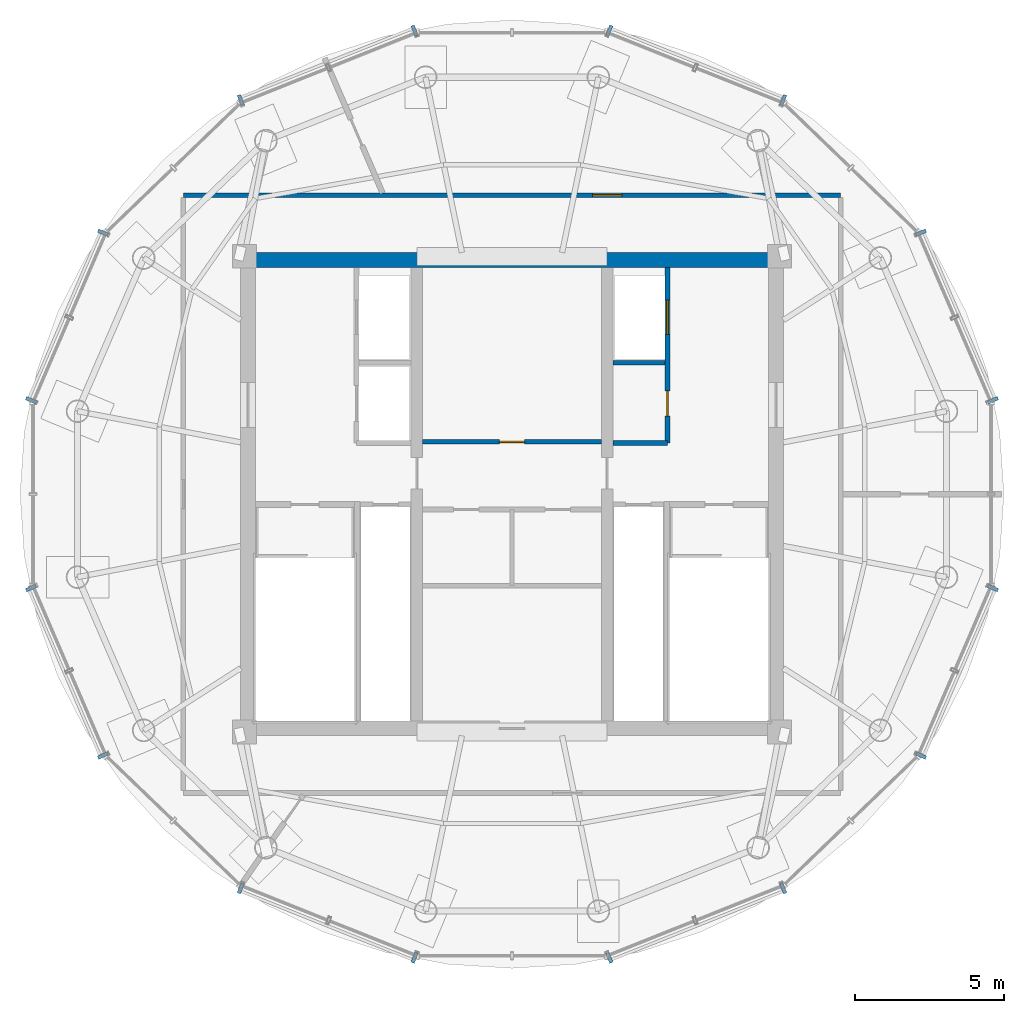
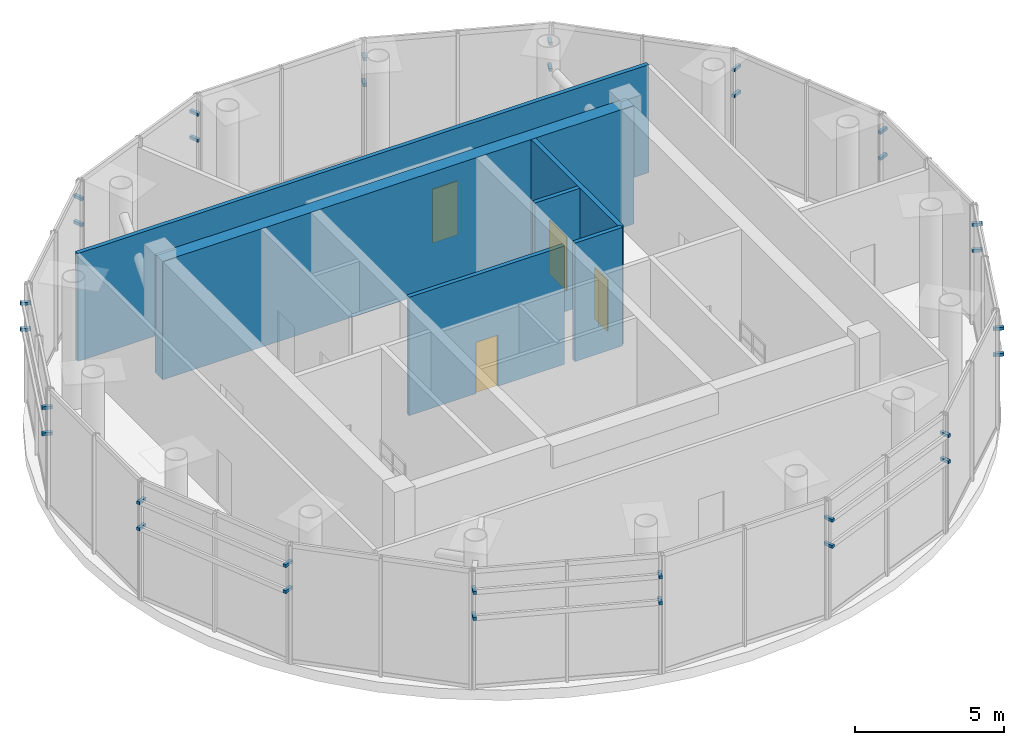
# One storey, part 12 of 13: 32 discrete accessories, 6 walls, 4 doors, 4 openings.
"""IFC4 building model written with IfcOpenShell, lengths in metres."""

from ifc_helpers import new_model, si_unit, direction, frame, frame_2d, origin, origin_2d, place, context, subcontext, project, spatial, rectangle, extrude, source, transform, mapped, material, layer, layer_set, type_object, element, fill, save


model = new_model("IFC4")

# Units and contexts
model_context = context("Model", 3, precision=1e-05, world=origin(), true_north=direction((-0.2419218956, 0.970295726276)))
body_context = subcontext(model_context, "Body", "Model", "MODEL_VIEW")
ifc_project = project(units=[si_unit("LENGTHUNIT", "METRE"), si_unit("AREAUNIT", "SQUARE_METRE"), si_unit("VOLUMEUNIT", "CUBIC_METRE"), si_unit("PLANEANGLEUNIT", "RADIAN"), si_unit("MASSUNIT", "GRAM", prefix="KILO")], contexts=[model_context])

# Site, building, storey
site_placement = place(None, origin())
site = spatial("IfcSite", under=ifc_project, at=site_placement, CompositionType="ELEMENT")
building_placement = place(site_placement, origin())
building = spatial("IfcBuilding", under=site, at=building_placement, Name="Cobrevalo Terracotta Tower", CompositionType="ELEMENT")
storey_placement = place(building_placement, frame((0.0, 0.0, 332.10009765625)))
storey = spatial("IfcBuildingStorey", under=building, at=storey_placement, Name="L85", CompositionType="ELEMENT", Elevation=332.10009765625)

# Walls
ifc_material_1 = material(Name="Concrete C50", Category="concrete")
ifc_layer_1 = layer(ifc_material_1, 0.5)
ifc_layer_set_1 = layer_set([ifc_layer_1], Name="Concrete C50")
wall_type_1 = type_object("IfcWallType", Name="Crown core shear wall 500 mm Concrete C50", PredefinedType="SHEAR", material=ifc_layer_set_1)
wall_1_placement = place(storey_placement, frame((28.875, 34.675048828125, 0.0), z_axis=(0.0, 0.0, 1.0), x_axis=(1.0, 0.0, 0.0)))
element("IfcWall", 1, at=wall_1_placement, inside=storey, type_object=wall_type_1, Name="L85 north core shear wall", PredefinedType="SHEAR", context=body_context, shape_type="SweptSolid", body=[
    extrude(rectangle(XDim=18.25, YDim=0.5, at=frame_2d((9.125, 0.0))), origin(), (0.0, 0.0, 1.0), 4.849853515625),
])
ifc_material_2 = material(Name="Gypsum board on steel stud", Category="steel")
ifc_layer_2 = layer(ifc_material_2, 0.159912109375)
ifc_layer_set_2 = layer_set([ifc_layer_2], Name="Gypsum board on steel stud")
wall_type_2 = type_object("IfcWallType", Name="Fire-rated corridor acoustic partition wall 160 mm", PredefinedType="PARTITIONING", material=ifc_layer_set_2)
wall_2_placement = place(storey_placement, frame((41.389892578125, 31.219970703125, 0.0), z_axis=(0.0, 0.0, 1.0), x_axis=(1.0, 0.0, 0.0)))
element("IfcWall", 2, at=wall_2_placement, inside=storey, type_object=wall_type_2, Name="L85 interior partition IW-L85-FF2-M", PredefinedType="PARTITIONING", context=body_context, shape_type="SweptSolid", body=[
    extrude(rectangle(XDim=1.75, YDim=0.159912109375, at=frame_2d((0.875, 0.0))), origin(), (0.0, 0.0, 1.0), 4.849853515625),
])
wall_3_placement = place(storey_placement, frame((41.389892578125, 28.52001953125, 0.0), z_axis=(0.0, 0.0, 1.0), x_axis=(1.0, 0.0, 0.0)))
element("IfcWall", 3, at=wall_3_placement, inside=storey, type_object=wall_type_2, Name="L85 interior partition IW-L85-FF2-S", PredefinedType="PARTITIONING", context=body_context, shape_type="SweptSolid", body=[
    extrude(rectangle(XDim=1.840087890625, YDim=0.159912109375, at=frame_2d((0.919921875, 0.0))), origin(), (0.0, 0.0, 1.0), 4.849853515625),
])

# Wall, opening, door
wall_4_placement = place(storey_placement, frame((34.989990234375, 28.56005859375, 0.0), z_axis=(0.0, 0.0, 1.0), x_axis=(1.0, 0.0, 0.0)))
wall_4 = element("IfcWall", 4, at=wall_4_placement, inside=storey, type_object=wall_type_2, Name="L85 interior partition IW-L85-LB-S", PredefinedType="PARTITIONING", context=body_context, shape_type="SweptSolid", body=[
    extrude(rectangle(XDim=6.02001953125, YDim=0.159912109375, at=frame_2d((3.010009765625, 0.0))), origin(), (0.0, 0.0, 1.0), 4.849853515625),
])
opening_1_placement = place(wall_4_placement, frame((2.5849609375, 0.0, 0.0)))
opening_1 = element("IfcOpeningElement", 5, at=opening_1_placement, cuts=wall_4, Name="Opening ID-22", PredefinedType="OPENING", context=body_context, shape_type="SweptSolid", body=[
    extrude(rectangle(XDim=0.85009765625, YDim=2.10009765625, at=frame_2d((0.425048828125, 1.050048828125))), frame((0.0, 0.08984375, 0.0), z_axis=(0.0, -1.0, 0.0), x_axis=(1.0, 0.0, 0.0)), (0.0, 0.0, 1.0), 0.179931640625),
])
ifc_material_3 = material(Name="Powder-coated steel", Category="steel")
door_type_1 = type_object("IfcDoorType", Name="Riser shaft & meter closet fire access door 850x2100 EI 60", OperationType="NOTDEFINED", PredefinedType="DOOR", material=ifc_material_3)
shared_shape_1 = source(origin(), body_context, "Body", "SweptSolid", [
    extrude(rectangle(XDim=0.85009765625, YDim=2.10009765625, at=frame_2d((0.425048828125, 1.050048828125))), frame((0.0, 0.02490234375, 0.0), z_axis=(0.0, -1.0, 0.0), x_axis=(1.0, 0.0, 0.0)), (0.0, 0.0, 1.0), 0.050048828125),
])
door_1_placement = place(opening_1_placement, origin())
door_1 = element("IfcDoor", 6, at=door_1_placement, inside=storey, type_object=door_type_1, Name="L85 core service door Crown HV Switchroom Plant", OperationType="SINGLE_SWING_LEFT", OverallHeight=2.10009765625, OverallWidth=0.85009765625, PredefinedType="DOOR", context=body_context, shape_type="MappedRepresentation", body=[
    mapped(shared_shape_1, transform((0.0, 0.0, 0.0), scale=1.0)),
])
fill(opening_1, door_1)

wall_5_placement = place(storey_placement, frame((26.945068359375, 36.85498046875, 0.0), z_axis=(0.0, 0.0, 1.0), x_axis=(1.0, 0.0, 0.0)))
wall_5 = element("IfcWall", 7, at=wall_5_placement, inside=storey, type_object=wall_type_2, Name="L85 interior partition IW-L85-COR-N", PredefinedType="PARTITIONING", context=body_context, shape_type="SweptSolid", body=[
    extrude(rectangle(XDim=22.10986328125, YDim=0.159912109375, at=frame_2d((11.054931640625, 0.0))), origin(), (0.0, 0.0, 1.0), 4.421875),
])
opening_2_placement = place(wall_5_placement, frame((13.768310546875, 0.0, 0.0)))
opening_2 = element("IfcOpeningElement", 8, at=opening_2_placement, cuts=wall_5, Name="Opening ID-05", PredefinedType="OPENING", context=body_context, shape_type="SweptSolid", body=[
    extrude(rectangle(XDim=0.97998046875, YDim=2.199951171875, at=frame_2d((0.489990234375, 1.10009765625))), frame((0.0, 0.08984375, 0.0), z_axis=(0.0, -1.0, 0.0), x_axis=(1.0, 0.0, 0.0)), (0.0, 0.0, 1.0), 0.179931640625),
])
ifc_material_4 = material(Name="Solid hardwood timber", Category="wood")
door_type_2 = type_object("IfcDoorType", Name="Residence entrance fire-rated acoustic timber door 980x2200 EI 60", OperationType="NOTDEFINED", PredefinedType="DOOR", material=ifc_material_4)
shared_shape_2 = source(origin(), body_context, "Body", "SweptSolid", [
    extrude(rectangle(XDim=0.97998046875, YDim=2.199951171875, at=frame_2d((0.489990234375, 1.10009765625))), frame((0.0, 0.02490234375, 0.0), z_axis=(0.0, -1.0, 0.0), x_axis=(1.0, 0.0, 0.0)), (0.0, 0.0, 1.0), 0.050048828125),
])
door_2_placement = place(opening_2_placement, origin())
door_2 = element("IfcDoor", 9, at=door_2_placement, inside=storey, type_object=door_type_2, Name="L85 Crown AHU Mechanical Plant door", OperationType="SINGLE_SWING_RIGHT", OverallHeight=2.199951171875, OverallWidth=0.97998046875, PredefinedType="DOOR", context=body_context, shape_type="MappedRepresentation", body=[
    mapped(shared_shape_2, transform((0.0, 0.0, 0.0), scale=1.0)),
])
fill(opening_2, door_2)

# Wall, openings, doors
ifc_layer_3 = layer(ifc_material_2, 0.179931640625)
ifc_layer_set_3 = layer_set([ifc_layer_3], Name="Gypsum board on steel stud")
wall_type_3 = type_object("IfcWallType", Name="Fire-rated shaft & lobby acoustic partition wall 180 mm", PredefinedType="PARTITIONING", material=ifc_layer_set_3)
wall_6_placement = place(storey_placement, frame((43.22998046875, 28.52001953125, 0.0), z_axis=(0.0, 0.0, 1.0), x_axis=(0.0, 1.0, 0.0)))
wall_6 = element("IfcWall", 10, at=wall_6_placement, inside=storey, type_object=wall_type_3, Name="L85 interior partition IW-L85-FF2-E", PredefinedType="PARTITIONING", context=body_context, shape_type="SweptSolid", body=[
    extrude(rectangle(XDim=5.905029296875, YDim=0.179931640625, at=frame_2d((2.95263671875, 0.0))), origin(), (0.0, 0.0, 1.0), 4.849853515625),
])
opening_3_placement = place(wall_6_placement, frame((0.905029296875, 0.0, 0.0)))
opening_3 = element("IfcOpeningElement", 11, at=opening_3_placement, cuts=wall_6, Name="Opening ID-22", PredefinedType="OPENING", context=body_context, shape_type="SweptSolid", body=[
    extrude(rectangle(XDim=0.85009765625, YDim=2.10009765625, at=frame_2d((0.425048828125, 1.050048828125))), frame((0.0, 0.10009765625, 0.0), z_axis=(0.0, -1.0, 0.0), x_axis=(1.0, 0.0, 0.0)), (0.0, 0.0, 1.0), 0.199951171875),
])
opening_4_placement = place(wall_6_placement, frame((3.655029296875, 0.0, 0.0)))
opening_4 = element("IfcOpeningElement", 12, at=opening_4_placement, cuts=wall_6, Name="Opening LD-02", PredefinedType="OPENING", context=body_context, shape_type="SweptSolid", body=[
    extrude(rectangle(XDim=1.14990234375, YDim=2.199951171875, at=frame_2d((0.574951171875, 1.10009765625))), frame((0.0, 0.10009765625, 0.0), z_axis=(0.0, -1.0, 0.0), x_axis=(1.0, 0.0, 0.0)), (0.0, 0.0, 1.0), 0.199951171875),
])
door_3_placement = place(opening_3_placement, frame((0.85009765625, 0.0, 0.0), z_axis=(0.0, 0.0, 1.0), x_axis=(-1.0, 0.0, 0.0)))
door_3 = element("IfcDoor", 13, at=door_3_placement, inside=storey, type_object=door_type_1, Name="L85 housekeeping store door", OperationType="SINGLE_SWING_RIGHT", OverallHeight=2.10009765625, OverallWidth=0.85009765625, PredefinedType="DOOR", context=body_context, shape_type="MappedRepresentation", body=[
    mapped(shared_shape_1, transform((0.0, 0.0, 0.0), scale=1.0)),
])
fill(opening_3, door_3)
ifc_material_5 = material(Name="Brushed stainless steel", Category="steel")
door_type_3 = type_object("IfcDoorType", Name="Firefighting lift landing bi-parting sliding door 1150x2200 EI 120", OperationType="DOUBLE_DOOR_SLIDING", PredefinedType="DOOR", material=ifc_material_5)
shared_shape_3 = source(origin(), body_context, "Body", "SweptSolid", [
    extrude(rectangle(XDim=1.14990234375, YDim=2.199951171875, at=frame_2d((0.574951171875, 1.10009765625))), frame((0.0, 0.02490234375, 0.0), z_axis=(0.0, -1.0, 0.0), x_axis=(1.0, 0.0, 0.0)), (0.0, 0.0, 1.0), 0.050048828125),
])
door_4_placement = place(opening_4_placement, origin())
door_4 = element("IfcDoor", 14, at=door_4_placement, inside=storey, type_object=door_type_3, Name="L85 lift landing door FF-2", OperationType="DOUBLE_DOOR_SLIDING", OverallHeight=2.199951171875, OverallWidth=1.14990234375, PredefinedType="DOOR", context=body_context, shape_type="MappedRepresentation", body=[
    mapped(shared_shape_3, transform((0.0, 0.0, 0.0), scale=1.0)),
])
fill(opening_4, door_4)

# Discrete accessories
ifc_layer_4 = layer(ifc_material_5, 0.1201171875)
ifc_layer_set_4 = layer_set([ifc_layer_4], Name="Brushed stainless steel")
discrete_accessory_type = type_object("IfcDiscreteAccessoryType", Name="Stainless Steel Facade & Canopy Support Bracket", PredefinedType="BRACKET", material=ifc_layer_set_4)
shared_shape_4 = source(origin(), body_context, "Body", "SweptSolid", [
    extrude(rectangle(XDim=0.1201171875, YDim=0.360107421875, at=origin_2d()), origin(), (0.0, 0.0, 1.0), 0.1201171875),
])
for number, where, z_axis, x_axis, name in (
    (15, (54.18115234375, 29.960693359375, 2.94677734375), (0.0, 0.0, 1.0), (-0.394960330504, 0.918698175316, 0.0), "CW-CRN-L85-S01 stainless baguette support bracket 1-A"),
    (16, (51.759521484375, 35.593505859375, 2.94677734375), (0.0, 0.0, 1.0), (-0.394960330504, 0.918698175316, 0.0), "CW-CRN-L85-S01 stainless baguette support bracket 1-B"),
    (17, (54.18115234375, 29.960693359375, 4.013916015625), (0.0, 0.0, 1.0), (-0.394960330504, 0.918698175316, 0.0), "CW-CRN-L85-S01 stainless baguette support bracket 2-A"),
    (18, (51.759521484375, 35.593505859375, 4.013916015625), (0.0, 0.0, 1.0), (-0.394960330504, 0.918698175316, 0.0), "CW-CRN-L85-S01 stainless baguette support bracket 2-B"),
    (19, (47.124267578125, 40.060546875, 2.94677734375), (0.0, 0.0, 1.0), (-0.928768802339, 0.370659563214, 0.0), "CW-CRN-L85-S03 stainless baguette support bracket 1-A"),
    (20, (41.27587890625, 42.39453125, 2.94677734375), (0.0, 0.0, 1.0), (-0.928768802339, 0.370659563214, 0.0), "CW-CRN-L85-S03 stainless baguette support bracket 1-B"),
    (21, (47.124267578125, 40.060546875, 4.013916015625), (0.0, 0.0, 1.0), (-0.928768802339, 0.370659563214, 0.0), "CW-CRN-L85-S03 stainless baguette support bracket 2-A"),
    (22, (41.27587890625, 42.39453125, 4.013916015625), (0.0, 0.0, 1.0), (-0.928768802339, 0.370659563214, 0.0), "CW-CRN-L85-S03 stainless baguette support bracket 2-B"),
    (23, (34.72412109375, 42.39453125, 2.94677734375), (0.0, 0.0, 1.0), (-0.928768802339, -0.370659563214, 0.0), "CW-CRN-L85-S05 stainless baguette support bracket 1-A"),
    (24, (28.875732421875, 40.060546875, 2.94677734375), (0.0, 0.0, 1.0), (-0.928768802339, -0.370659563214, 0.0), "CW-CRN-L85-S05 stainless baguette support bracket 1-B"),
    (25, (34.72412109375, 42.39453125, 4.013916015625), (0.0, 0.0, 1.0), (-0.928768802339, -0.370659563214, 0.0), "CW-CRN-L85-S05 stainless baguette support bracket 2-A"),
    (26, (28.875732421875, 40.060546875, 4.013916015625), (0.0, 0.0, 1.0), (-0.928768802339, -0.370659563214, 0.0), "CW-CRN-L85-S05 stainless baguette support bracket 2-B"),
    (27, (24.240478515625, 35.593505859375, 2.94677734375), (0.0, 0.0, 1.0), (-0.394960330504, -0.918698175316, 0.0), "CW-CRN-L85-S07 stainless baguette support bracket 1-A"),
    (28, (21.81884765625, 29.960693359375, 2.94677734375), (0.0, 0.0, 1.0), (-0.394960330504, -0.918698175316, 0.0), "CW-CRN-L85-S07 stainless baguette support bracket 1-B"),
    (29, (24.240478515625, 35.593505859375, 4.013916015625), (0.0, 0.0, 1.0), (-0.394960330504, -0.918698175316, 0.0), "CW-CRN-L85-S07 stainless baguette support bracket 2-A"),
    (30, (21.81884765625, 29.960693359375, 4.013916015625), (0.0, 0.0, 1.0), (-0.394960330504, -0.918698175316, 0.0), "CW-CRN-L85-S07 stainless baguette support bracket 2-B"),
    (31, (21.81884765625, 23.639404296875, 2.94677734375), (0.0, 0.0, 1.0), (0.394960330504, -0.918698175316, 0.0), "CW-CRN-L85-S09 stainless baguette support bracket 1-A"),
    (32, (24.240478515625, 18.006591796875, 2.94677734375), (0.0, 0.0, 1.0), (0.394960330504, -0.918698175316, 0.0), "CW-CRN-L85-S09 stainless baguette support bracket 1-B"),
    (33, (21.81884765625, 23.639404296875, 4.013916015625), (0.0, 0.0, 1.0), (0.394960330504, -0.918698175316, 0.0), "CW-CRN-L85-S09 stainless baguette support bracket 2-A"),
    (34, (24.240478515625, 18.006591796875, 4.013916015625), (0.0, 0.0, 1.0), (0.394960330504, -0.918698175316, 0.0), "CW-CRN-L85-S09 stainless baguette support bracket 2-B"),
    (35, (28.875732421875, 13.539306640625, 2.94677734375), (0.0, 0.0, 1.0), (0.928768802339, -0.370659563214, 0.0), "CW-CRN-L85-S11 stainless baguette support bracket 1-A"),
    (36, (34.72412109375, 11.205322265625, 2.94677734375), (0.0, 0.0, 1.0), (0.928768802339, -0.370659563214, 0.0), "CW-CRN-L85-S11 stainless baguette support bracket 1-B"),
    (37, (28.875732421875, 13.539306640625, 4.013916015625), (0.0, 0.0, 1.0), (0.928768802339, -0.370659563214, 0.0), "CW-CRN-L85-S11 stainless baguette support bracket 2-A"),
    (38, (34.72412109375, 11.205322265625, 4.013916015625), (0.0, 0.0, 1.0), (0.928768802339, -0.370659563214, 0.0), "CW-CRN-L85-S11 stainless baguette support bracket 2-B"),
    (39, (41.27587890625, 11.205322265625, 2.94677734375), (0.0, 0.0, 1.0), (0.928768802339, 0.370659563214, 0.0), "CW-CRN-L85-S13 stainless baguette support bracket 1-A"),
    (40, (47.124267578125, 13.539306640625, 2.94677734375), (0.0, 0.0, 1.0), (0.928768802339, 0.370659563214, 0.0), "CW-CRN-L85-S13 stainless baguette support bracket 1-B"),
    (41, (41.27587890625, 11.205322265625, 4.013916015625), (0.0, 0.0, 1.0), (0.928768802339, 0.370659563214, 0.0), "CW-CRN-L85-S13 stainless baguette support bracket 2-A"),
    (42, (47.124267578125, 13.539306640625, 4.013916015625), (0.0, 0.0, 1.0), (0.928768802339, 0.370659563214, 0.0), "CW-CRN-L85-S13 stainless baguette support bracket 2-B"),
    (43, (51.759521484375, 18.006591796875, 2.94677734375), (0.0, 0.0, 1.0), (0.394960330504, 0.918698175316, 0.0), "CW-CRN-L85-S15 stainless baguette support bracket 1-A"),
    (44, (54.18115234375, 23.639404296875, 2.94677734375), (0.0, 0.0, 1.0), (0.394960330504, 0.918698175316, 0.0), "CW-CRN-L85-S15 stainless baguette support bracket 1-B"),
    (45, (51.759521484375, 18.006591796875, 4.013916015625), (0.0, 0.0, 1.0), (0.394960330504, 0.918698175316, 0.0), "CW-CRN-L85-S15 stainless baguette support bracket 2-A"),
    (46, (54.18115234375, 23.639404296875, 4.013916015625), (0.0, 0.0, 1.0), (0.394960330504, 0.918698175316, 0.0), "CW-CRN-L85-S15 stainless baguette support bracket 2-B"),
):
    element("IfcDiscreteAccessory", number, at=place(storey_placement, frame(where, z_axis=z_axis, x_axis=x_axis)), inside=storey, type_object=discrete_accessory_type, Name=name, PredefinedType="BRACKET", context=body_context, shape_type="MappedRepresentation", body=[
        mapped(shared_shape_4, transform((0.0, 0.0, 0.0), scale=1.0)),
    ])

save(model, "model.ifc")
